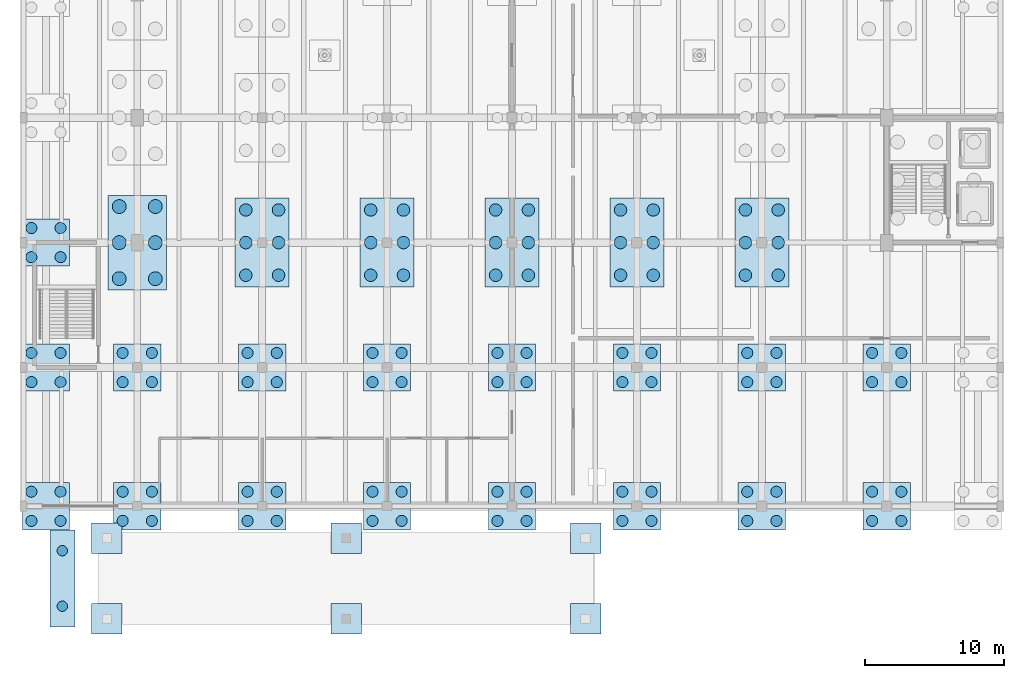
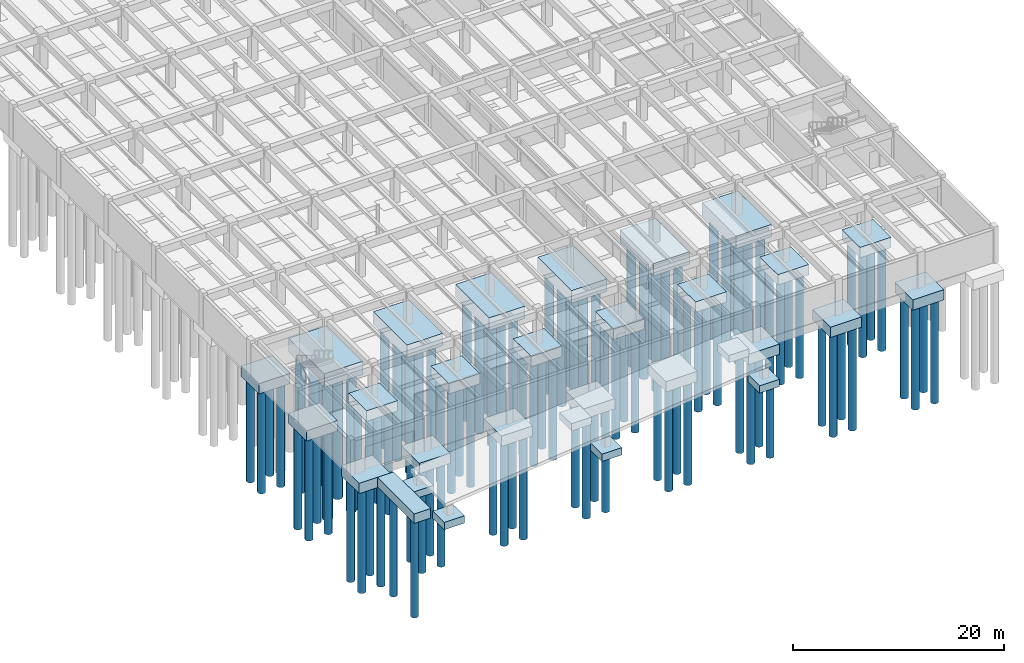
# One storey, part 1 of 23: 106 piles, 30 footings.
"""IFC4 building model written with IfcOpenShell, lengths in metres."""

from ifc_helpers import new_model, si_unit, direction, frame, origin, origin_2d, place, context, subcontext, project, spatial, polyline, circle, outline, extrude, material, layer, layer_set, material_profile, profile_set, type_object, element, save


model = new_model("IFC4")

# Units and contexts
model_context = context("Model", 3, precision=1e-05, world=origin(), true_north=direction((0.0, 1.0)))
body_context = subcontext(model_context, "Body", "Model", "MODEL_VIEW")
ifc_project = project(units=[si_unit("LENGTHUNIT", "METRE"), si_unit("AREAUNIT", "SQUARE_METRE"), si_unit("VOLUMEUNIT", "CUBIC_METRE"), si_unit("PLANEANGLEUNIT", "RADIAN"), si_unit("MASSUNIT", "GRAM", prefix="KILO")], contexts=[model_context])

# Site, building, storey
site_placement = place(None, origin())
site = spatial("IfcSite", under=ifc_project, at=site_placement, CompositionType="ELEMENT")
building_placement = place(site_placement, origin())
building = spatial("IfcBuilding", under=site, at=building_placement, Name="Ornek Quay Market", CompositionType="ELEMENT")
storey_placement = place(building_placement, frame((0.0, 0.0, -4.199951171875)))
storey = spatial("IfcBuildingStorey", under=building, at=storey_placement, Name="B1", CompositionType="ELEMENT", Elevation=-4.199951171875)

# Footings
ifc_material = material(Name="Concrete C35/45", Category="concrete")
ifc_layer_1 = layer(ifc_material, 0.85009765625, Name="Concrete C35/45", Category="concrete")
ifc_layer_set_1 = layer_set([ifc_layer_1], Name="Concrete C35/45")
footing_type_1 = type_object("IfcFootingType", Name="FT-PAD-2200x2200x850", PredefinedType="PAD_FOOTING", material=ifc_layer_set_1)
footing_1_placement = place(storey_placement, frame((0.0, 0.0, -2.580078125)))
element("IfcFooting", 1, at=footing_1_placement, inside=storey, type_object=footing_type_1, Name="Vehicle ramp footing PRF-11", PredefinedType="PAD_FOOTING", context=body_context, shape_type="SweptSolid", body=[
    extrude(outline(polyline([(59.699951171875, 0.800048828125), (61.89990234375, 0.800048828125), (61.89990234375, 3.0), (59.699951171875, 3.0), (59.699951171875, 0.800048828125)])), origin(), (0.0, 0.0, 1.0), 0.85009765625),
])
footing_2_placement = place(storey_placement, frame((0.0, 0.0, -2.580078125)))
element("IfcFooting", 2, at=footing_2_placement, inside=storey, type_object=footing_type_1, Name="Vehicle ramp footing PRF-12", PredefinedType="PAD_FOOTING", context=body_context, shape_type="SweptSolid", body=[
    extrude(outline(polyline([(59.699951171875, 6.60009765625), (61.89990234375, 6.60009765625), (61.89990234375, 8.800048828125), (59.699951171875, 8.800048828125), (59.699951171875, 6.60009765625)])), origin(), (0.0, 0.0, 1.0), 0.85009765625),
])
footing_3_placement = place(storey_placement, frame((0.0, 0.0, -0.719970703125)))
element("IfcFooting", 3, at=footing_3_placement, inside=storey, type_object=footing_type_1, Name="Vehicle ramp footing PRF-13", PredefinedType="PAD_FOOTING", context=body_context, shape_type="SweptSolid", body=[
    extrude(outline(polyline([(76.949951171875, 0.800048828125), (79.14990234375, 0.800048828125), (79.14990234375, 3.0), (76.949951171875, 3.0), (76.949951171875, 0.800048828125)])), origin(), (0.0, 0.0, 1.0), 0.849853515625),
])
footing_4_placement = place(storey_placement, frame((0.0, 0.0, -0.719970703125)))
element("IfcFooting", 4, at=footing_4_placement, inside=storey, type_object=footing_type_1, Name="Vehicle ramp footing PRF-14", PredefinedType="PAD_FOOTING", context=body_context, shape_type="SweptSolid", body=[
    extrude(outline(polyline([(76.949951171875, 6.60009765625), (79.14990234375, 6.60009765625), (79.14990234375, 8.800048828125), (76.949951171875, 8.800048828125), (76.949951171875, 6.60009765625)])), origin(), (0.0, 0.0, 1.0), 0.849853515625),
])
footing_5_placement = place(storey_placement, frame((0.0, 0.0, 1.139892578125)))
element("IfcFooting", 5, at=footing_5_placement, inside=storey, type_object=footing_type_1, Name="Vehicle ramp footing PRF-15", PredefinedType="PAD_FOOTING", context=body_context, shape_type="SweptSolid", body=[
    extrude(outline(polyline([(94.199951171875, 0.800048828125), (96.39990234375, 0.800048828125), (96.39990234375, 3.0), (94.199951171875, 3.0), (94.199951171875, 0.800048828125)])), origin(), (0.0, 0.0, 1.0), 0.85009765625),
])
footing_6_placement = place(storey_placement, frame((0.0, 0.0, 1.139892578125)))
element("IfcFooting", 6, at=footing_6_placement, inside=storey, type_object=footing_type_1, Name="Vehicle ramp footing PRF-16", PredefinedType="PAD_FOOTING", context=body_context, shape_type="SweptSolid", body=[
    extrude(outline(polyline([(94.199951171875, 6.60009765625), (96.39990234375, 6.60009765625), (96.39990234375, 8.800048828125), (94.199951171875, 8.800048828125), (94.199951171875, 6.60009765625)])), origin(), (0.0, 0.0, 1.0), 0.85009765625),
])
ifc_layer_2 = layer(ifc_material, 1.10009765625, Name="Concrete C35/45", Category="concrete")
ifc_layer_set_2 = layer_set([ifc_layer_2], Name="Concrete C35/45")
footing_type_2 = type_object("IfcFootingType", Name="FT-PC2-1800x7000x1100", PredefinedType="PILE_CAP", material=ifc_layer_set_2)
footing_7_placement = place(storey_placement, frame((0.0, 0.0, -1.10009765625)))
element("IfcFooting", 7, at=footing_7_placement, inside=storey, type_object=footing_type_2, Name="Ramp abutment cap PRF-06", PredefinedType="PILE_CAP", context=body_context, shape_type="SweptSolid", body=[
    extrude(outline(polyline([(56.699951171875, 1.300048828125), (58.5, 1.300048828125), (58.5, 8.300048828125), (56.699951171875, 8.300048828125), (56.699951171875, 1.300048828125)])), origin(), (0.0, 0.0, 1.0), 1.10009765625),
])
ifc_layer_3 = layer(ifc_material, 1.199951171875, Name="Concrete C35/45", Category="concrete")
ifc_layer_set_3 = layer_set([ifc_layer_3], Name="Concrete C35/45")
footing_type_3 = type_object("IfcFootingType", Name="FT-PC4-2800x2800x1200", PredefinedType="PILE_CAP", material=ifc_layer_set_3)
footing_8_placement = place(storey_placement, frame((0.0, 0.0, -1.199951171875)))
element("IfcFooting", 8, at=footing_8_placement, inside=storey, type_object=footing_type_3, Name="Pile cap FC-065", PredefinedType="PILE_CAP", context=body_context, shape_type="SweptSolid", body=[
    extrude(outline(polyline([(54.719970703125, 8.300048828125), (58.1201171875, 8.300048828125), (58.1201171875, 11.699951171875), (54.719970703125, 11.699951171875), (54.719970703125, 8.300048828125)])), origin(), (0.0, 0.0, 1.0), 1.199951171875),
])
footing_9_placement = place(storey_placement, frame((0.0, 0.0, -1.199951171875)))
element("IfcFooting", 9, at=footing_9_placement, inside=storey, type_object=footing_type_3, Name="Pile cap FC-066", PredefinedType="PILE_CAP", context=body_context, shape_type="SweptSolid", body=[
    extrude(outline(polyline([(54.719970703125, 18.300048828125), (58.1201171875, 18.300048828125), (58.1201171875, 21.699951171875), (54.719970703125, 21.699951171875), (54.719970703125, 18.300048828125)])), origin(), (0.0, 0.0, 1.0), 1.199951171875),
])
footing_10_placement = place(storey_placement, frame((0.0, 0.0, -1.199951171875)))
element("IfcFooting", 10, at=footing_10_placement, inside=storey, type_object=footing_type_3, Name="Pile cap FC-067", PredefinedType="PILE_CAP", context=body_context, shape_type="SweptSolid", body=[
    extrude(outline(polyline([(54.719970703125, 27.300048828125), (58.1201171875, 27.300048828125), (58.1201171875, 30.699951171875), (54.719970703125, 30.699951171875), (54.719970703125, 27.300048828125)])), origin(), (0.0, 0.0, 1.0), 1.199951171875),
])
footing_11_placement = place(storey_placement, frame((0.0, 0.0, -1.199951171875)))
element("IfcFooting", 11, at=footing_11_placement, inside=storey, type_object=footing_type_3, Name="Pile cap FC-076", PredefinedType="PILE_CAP", context=body_context, shape_type="SweptSolid", body=[
    extrude(outline(polyline([(61.300048828125, 8.300048828125), (64.699951171875, 8.300048828125), (64.699951171875, 11.699951171875), (61.300048828125, 11.699951171875), (61.300048828125, 8.300048828125)])), origin(), (0.0, 0.0, 1.0), 1.199951171875),
])
footing_12_placement = place(storey_placement, frame((0.0, 0.0, -1.199951171875)))
element("IfcFooting", 12, at=footing_12_placement, inside=storey, type_object=footing_type_3, Name="Pile cap FC-077", PredefinedType="PILE_CAP", context=body_context, shape_type="SweptSolid", body=[
    extrude(outline(polyline([(61.300048828125, 18.300048828125), (64.699951171875, 18.300048828125), (64.699951171875, 21.699951171875), (61.300048828125, 21.699951171875), (61.300048828125, 18.300048828125)])), origin(), (0.0, 0.0, 1.0), 1.199951171875),
])
footing_13_placement = place(storey_placement, frame((0.0, 0.0, -1.199951171875)))
element("IfcFooting", 13, at=footing_13_placement, inside=storey, type_object=footing_type_3, Name="Pile cap FC-087", PredefinedType="PILE_CAP", context=body_context, shape_type="SweptSolid", body=[
    extrude(outline(polyline([(70.300048828125, 8.300048828125), (73.699951171875, 8.300048828125), (73.699951171875, 11.699951171875), (70.300048828125, 11.699951171875), (70.300048828125, 8.300048828125)])), origin(), (0.0, 0.0, 1.0), 1.199951171875),
])
footing_14_placement = place(storey_placement, frame((0.0, 0.0, -1.199951171875)))
element("IfcFooting", 14, at=footing_14_placement, inside=storey, type_object=footing_type_3, Name="Pile cap FC-088", PredefinedType="PILE_CAP", context=body_context, shape_type="SweptSolid", body=[
    extrude(outline(polyline([(70.300048828125, 18.300048828125), (73.699951171875, 18.300048828125), (73.699951171875, 21.699951171875), (70.300048828125, 21.699951171875), (70.300048828125, 18.300048828125)])), origin(), (0.0, 0.0, 1.0), 1.199951171875),
])
footing_15_placement = place(storey_placement, frame((0.0, 0.0, -1.199951171875)))
element("IfcFooting", 15, at=footing_15_placement, inside=storey, type_object=footing_type_3, Name="Pile cap FC-100", PredefinedType="PILE_CAP", context=body_context, shape_type="SweptSolid", body=[
    extrude(outline(polyline([(79.300048828125, 8.300048828125), (82.699951171875, 8.300048828125), (82.699951171875, 11.699951171875), (79.300048828125, 11.699951171875), (79.300048828125, 8.300048828125)])), origin(), (0.0, 0.0, 1.0), 1.199951171875),
])
footing_16_placement = place(storey_placement, frame((0.0, 0.0, -1.199951171875)))
element("IfcFooting", 16, at=footing_16_placement, inside=storey, type_object=footing_type_3, Name="Pile cap FC-101", PredefinedType="PILE_CAP", context=body_context, shape_type="SweptSolid", body=[
    extrude(outline(polyline([(79.300048828125, 18.300048828125), (82.699951171875, 18.300048828125), (82.699951171875, 21.699951171875), (79.300048828125, 21.699951171875), (79.300048828125, 18.300048828125)])), origin(), (0.0, 0.0, 1.0), 1.199951171875),
])
footing_17_placement = place(storey_placement, frame((0.0, 0.0, -1.199951171875)))
element("IfcFooting", 17, at=footing_17_placement, inside=storey, type_object=footing_type_3, Name="Pile cap FC-113", PredefinedType="PILE_CAP", context=body_context, shape_type="SweptSolid", body=[
    extrude(outline(polyline([(88.300048828125, 8.300048828125), (91.699951171875, 8.300048828125), (91.699951171875, 11.699951171875), (88.300048828125, 11.699951171875), (88.300048828125, 8.300048828125)])), origin(), (0.0, 0.0, 1.0), 1.199951171875),
])
footing_18_placement = place(storey_placement, frame((0.0, 0.0, -1.199951171875)))
element("IfcFooting", 18, at=footing_18_placement, inside=storey, type_object=footing_type_3, Name="Pile cap FC-114", PredefinedType="PILE_CAP", context=body_context, shape_type="SweptSolid", body=[
    extrude(outline(polyline([(88.300048828125, 18.300048828125), (91.699951171875, 18.300048828125), (91.699951171875, 21.699951171875), (88.300048828125, 21.699951171875), (88.300048828125, 18.300048828125)])), origin(), (0.0, 0.0, 1.0), 1.199951171875),
])
footing_19_placement = place(storey_placement, frame((0.0, 0.0, -1.199951171875)))
element("IfcFooting", 19, at=footing_19_placement, inside=storey, type_object=footing_type_3, Name="Pile cap FC-126", PredefinedType="PILE_CAP", context=body_context, shape_type="SweptSolid", body=[
    extrude(outline(polyline([(97.300048828125, 8.300048828125), (100.699951171875, 8.300048828125), (100.699951171875, 11.699951171875), (97.300048828125, 11.699951171875), (97.300048828125, 8.300048828125)])), origin(), (0.0, 0.0, 1.0), 1.199951171875),
])
footing_20_placement = place(storey_placement, frame((0.0, 0.0, -1.199951171875)))
element("IfcFooting", 20, at=footing_20_placement, inside=storey, type_object=footing_type_3, Name="Pile cap FC-127", PredefinedType="PILE_CAP", context=body_context, shape_type="SweptSolid", body=[
    extrude(outline(polyline([(97.300048828125, 18.300048828125), (100.699951171875, 18.300048828125), (100.699951171875, 21.699951171875), (97.300048828125, 21.699951171875), (97.300048828125, 18.300048828125)])), origin(), (0.0, 0.0, 1.0), 1.199951171875),
])
footing_21_placement = place(storey_placement, frame((0.0, 0.0, -1.199951171875)))
element("IfcFooting", 21, at=footing_21_placement, inside=storey, type_object=footing_type_3, Name="Pile cap FC-139", PredefinedType="PILE_CAP", context=body_context, shape_type="SweptSolid", body=[
    extrude(outline(polyline([(106.300048828125, 8.300048828125), (109.699951171875, 8.300048828125), (109.699951171875, 11.699951171875), (106.300048828125, 11.699951171875), (106.300048828125, 8.300048828125)])), origin(), (0.0, 0.0, 1.0), 1.199951171875),
])
footing_22_placement = place(storey_placement, frame((0.0, 0.0, -1.199951171875)))
element("IfcFooting", 22, at=footing_22_placement, inside=storey, type_object=footing_type_3, Name="Pile cap FC-140", PredefinedType="PILE_CAP", context=body_context, shape_type="SweptSolid", body=[
    extrude(outline(polyline([(106.300048828125, 18.300048828125), (109.699951171875, 18.300048828125), (109.699951171875, 21.699951171875), (106.300048828125, 21.699951171875), (106.300048828125, 18.300048828125)])), origin(), (0.0, 0.0, 1.0), 1.199951171875),
])
footing_23_placement = place(storey_placement, frame((0.0, 0.0, -1.199951171875)))
element("IfcFooting", 23, at=footing_23_placement, inside=storey, type_object=footing_type_3, Name="Pile cap FC-152", PredefinedType="PILE_CAP", context=body_context, shape_type="SweptSolid", body=[
    extrude(outline(polyline([(115.300048828125, 8.300048828125), (118.699951171875, 8.300048828125), (118.699951171875, 11.699951171875), (115.300048828125, 11.699951171875), (115.300048828125, 8.300048828125)])), origin(), (0.0, 0.0, 1.0), 1.199951171875),
])
footing_24_placement = place(storey_placement, frame((0.0, 0.0, -1.199951171875)))
element("IfcFooting", 24, at=footing_24_placement, inside=storey, type_object=footing_type_3, Name="Pile cap FC-153", PredefinedType="PILE_CAP", context=body_context, shape_type="SweptSolid", body=[
    extrude(outline(polyline([(115.300048828125, 18.300048828125), (118.699951171875, 18.300048828125), (118.699951171875, 21.699951171875), (115.300048828125, 21.699951171875), (115.300048828125, 18.300048828125)])), origin(), (0.0, 0.0, 1.0), 1.199951171875),
])
ifc_layer_4 = layer(ifc_material, 1.449951171875, Name="Concrete C35/45", Category="concrete")
ifc_layer_set_4 = layer_set([ifc_layer_4], Name="Concrete C35/45")
footing_type_4 = type_object("IfcFootingType", Name="FT-PC6-3200x4600x1450", PredefinedType="PILE_CAP", material=ifc_layer_set_4)
footing_25_placement = place(storey_placement, frame((0.0, 0.0, -1.449951171875)))
element("IfcFooting", 25, at=footing_25_placement, inside=storey, type_object=footing_type_4, Name="Pile cap FC-089", PredefinedType="PILE_CAP", context=body_context, shape_type="SweptSolid", body=[
    extrude(outline(polyline([(70.050048828125, 25.800048828125), (73.949951171875, 25.800048828125), (73.949951171875, 32.199951171875), (70.050048828125, 32.199951171875), (70.050048828125, 25.800048828125)])), origin(), (0.0, 0.0, 1.0), 1.449951171875),
])
footing_26_placement = place(storey_placement, frame((0.0, 0.0, -1.449951171875)))
element("IfcFooting", 26, at=footing_26_placement, inside=storey, type_object=footing_type_4, Name="Pile cap FC-102", PredefinedType="PILE_CAP", context=body_context, shape_type="SweptSolid", body=[
    extrude(outline(polyline([(79.050048828125, 25.800048828125), (82.949951171875, 25.800048828125), (82.949951171875, 32.199951171875), (79.050048828125, 32.199951171875), (79.050048828125, 25.800048828125)])), origin(), (0.0, 0.0, 1.0), 1.449951171875),
])
footing_27_placement = place(storey_placement, frame((0.0, 0.0, -1.449951171875)))
element("IfcFooting", 27, at=footing_27_placement, inside=storey, type_object=footing_type_4, Name="Pile cap FC-115", PredefinedType="PILE_CAP", context=body_context, shape_type="SweptSolid", body=[
    extrude(outline(polyline([(88.050048828125, 25.800048828125), (91.949951171875, 25.800048828125), (91.949951171875, 32.199951171875), (88.050048828125, 32.199951171875), (88.050048828125, 25.800048828125)])), origin(), (0.0, 0.0, 1.0), 1.449951171875),
])
footing_28_placement = place(storey_placement, frame((0.0, 0.0, -1.449951171875)))
element("IfcFooting", 28, at=footing_28_placement, inside=storey, type_object=footing_type_4, Name="Pile cap FC-128", PredefinedType="PILE_CAP", context=body_context, shape_type="SweptSolid", body=[
    extrude(outline(polyline([(97.050048828125, 25.800048828125), (100.949951171875, 25.800048828125), (100.949951171875, 32.199951171875), (97.050048828125, 32.199951171875), (97.050048828125, 25.800048828125)])), origin(), (0.0, 0.0, 1.0), 1.449951171875),
])
footing_29_placement = place(storey_placement, frame((0.0, 0.0, -1.449951171875)))
element("IfcFooting", 29, at=footing_29_placement, inside=storey, type_object=footing_type_4, Name="Pile cap FC-141", PredefinedType="PILE_CAP", context=body_context, shape_type="SweptSolid", body=[
    extrude(outline(polyline([(106.050048828125, 25.800048828125), (109.949951171875, 25.800048828125), (109.949951171875, 32.199951171875), (106.050048828125, 32.199951171875), (106.050048828125, 25.800048828125)])), origin(), (0.0, 0.0, 1.0), 1.449951171875),
])
ifc_layer_5 = layer(ifc_material, 1.550048828125, Name="Concrete C35/45", Category="concrete")
ifc_layer_set_5 = layer_set([ifc_layer_5], Name="Concrete C35/45")
footing_type_5 = type_object("IfcFootingType", Name="FT-PC6-3600x5200x1550", PredefinedType="PILE_CAP", material=ifc_layer_set_5)
footing_30_placement = place(storey_placement, frame((0.0, 0.0, -1.550048828125)))
element("IfcFooting", 30, at=footing_30_placement, inside=storey, type_object=footing_type_5, Name="Pile cap FC-078", PredefinedType="PILE_CAP", context=body_context, shape_type="SweptSolid", body=[
    extrude(outline(polyline([(60.89990234375, 25.60009765625), (65.10009765625, 25.60009765625), (65.10009765625, 32.39990234375), (60.89990234375, 32.39990234375), (60.89990234375, 25.60009765625)])), origin(), (0.0, 0.0, 1.0), 1.550048828125),
])

# Piles
ifc_material_profile_1 = material_profile(ifc_material, circle(Radius=0.5, at=origin_2d()), Name="PILE D1000", Category="concrete")
ifc_profile_set_1 = profile_set([ifc_material_profile_1], Name="Concrete C35/45")
pile_type_1 = type_object("IfcPileType", Name="PL-BOR-D1000-L16", PredefinedType="BORED", material=ifc_profile_set_1)
for number, where, z_axis, x_axis, name in (
    (31, (61.699951171875, 26.39990234375, -1.449951171875), (0.0, 0.0, -1.0), (1.0, 0.0, 0.0), "Bored pile P-0339"),
    (32, (64.300048828125, 26.39990234375, -1.449951171875), (0.0, 0.0, -1.0), (1.0, 0.0, 0.0), "Bored pile P-0340"),
    (33, (61.699951171875, 29.0, -1.449951171875), (0.0, 0.0, -1.0), (1.0, 0.0, 0.0), "Bored pile P-0341"),
    (34, (64.300048828125, 29.0, -1.449951171875), (0.0, 0.0, -1.0), (1.0, 0.0, 0.0), "Bored pile P-0342"),
    (35, (61.699951171875, 31.60009765625, -1.449951171875), (0.0, 0.0, -1.0), (1.0, 0.0, 0.0), "Bored pile P-0343"),
    (36, (64.300048828125, 31.60009765625, -1.449951171875), (0.0, 0.0, -1.0), (1.0, 0.0, 0.0), "Bored pile P-0344"),
):
    element("IfcPile", number, at=place(storey_placement, frame(where, z_axis=z_axis, x_axis=x_axis)), inside=storey, type_object=pile_type_1, Name=name, PredefinedType="BORED", context=body_context, shape_type="SweptSolid", body=[
        extrude(circle(Radius=0.5, at=origin_2d()), origin(), (0.0, 0.0, 1.0), 16.0),
    ])
ifc_material_profile_2 = material_profile(ifc_material, circle(Radius=0.39990234375, at=origin_2d()), Name="PILE D800", Category="concrete")
ifc_profile_set_2 = profile_set([ifc_material_profile_2], Name="Concrete C35/45")
pile_type_2 = type_object("IfcPileType", Name="PL-BOR-D800-L12", PredefinedType="BORED", material=ifc_profile_set_2)
for number, where, z_axis, x_axis, name in (
    (37, (55.3701171875, 8.949951171875, -1.10009765625), (0.0, 0.0, -1.0), (1.0, 0.0, 0.0), "Bored pile P-0287"),
    (38, (57.469970703125, 8.949951171875, -1.10009765625), (0.0, 0.0, -1.0), (1.0, 0.0, 0.0), "Bored pile P-0288"),
    (39, (55.3701171875, 11.050048828125, -1.10009765625), (0.0, 0.0, -1.0), (1.0, 0.0, 0.0), "Bored pile P-0289"),
    (40, (57.469970703125, 11.050048828125, -1.10009765625), (0.0, 0.0, -1.0), (1.0, 0.0, 0.0), "Bored pile P-0290"),
    (41, (55.3701171875, 18.949951171875, -1.10009765625), (0.0, 0.0, -1.0), (1.0, 0.0, 0.0), "Bored pile P-0291"),
    (42, (57.469970703125, 18.949951171875, -1.10009765625), (0.0, 0.0, -1.0), (1.0, 0.0, 0.0), "Bored pile P-0292"),
    (43, (55.3701171875, 21.050048828125, -1.10009765625), (0.0, 0.0, -1.0), (1.0, 0.0, 0.0), "Bored pile P-0293"),
    (44, (57.469970703125, 21.050048828125, -1.10009765625), (0.0, 0.0, -1.0), (1.0, 0.0, 0.0), "Bored pile P-0294"),
    (45, (55.3701171875, 27.949951171875, -1.10009765625), (0.0, 0.0, -1.0), (1.0, 0.0, 0.0), "Bored pile P-0295"),
    (46, (57.469970703125, 27.949951171875, -1.10009765625), (0.0, 0.0, -1.0), (1.0, 0.0, 0.0), "Bored pile P-0296"),
    (47, (55.3701171875, 30.050048828125, -1.10009765625), (0.0, 0.0, -1.0), (1.0, 0.0, 0.0), "Bored pile P-0297"),
    (48, (57.469970703125, 30.050048828125, -1.10009765625), (0.0, 0.0, -1.0), (1.0, 0.0, 0.0), "Bored pile P-0298"),
    (49, (61.949951171875, 8.949951171875, -1.10009765625), (0.0, 0.0, -1.0), (1.0, 0.0, 0.0), "Bored pile P-0331"),
    (50, (64.050048828125, 8.949951171875, -1.10009765625), (0.0, 0.0, -1.0), (1.0, 0.0, 0.0), "Bored pile P-0332"),
    (51, (61.949951171875, 11.050048828125, -1.10009765625), (0.0, 0.0, -1.0), (1.0, 0.0, 0.0), "Bored pile P-0333"),
    (52, (64.050048828125, 11.050048828125, -1.10009765625), (0.0, 0.0, -1.0), (1.0, 0.0, 0.0), "Bored pile P-0334"),
    (53, (61.949951171875, 18.949951171875, -1.10009765625), (0.0, 0.0, -1.0), (1.0, 0.0, 0.0), "Bored pile P-0335"),
    (54, (64.050048828125, 18.949951171875, -1.10009765625), (0.0, 0.0, -1.0), (1.0, 0.0, 0.0), "Bored pile P-0336"),
    (55, (61.949951171875, 21.050048828125, -1.10009765625), (0.0, 0.0, -1.0), (1.0, 0.0, 0.0), "Bored pile P-0337"),
    (56, (64.050048828125, 21.050048828125, -1.10009765625), (0.0, 0.0, -1.0), (1.0, 0.0, 0.0), "Bored pile P-0338"),
    (57, (70.949951171875, 8.949951171875, -1.10009765625), (0.0, 0.0, -1.0), (1.0, 0.0, 0.0), "Bored pile P-0389"),
    (58, (73.050048828125, 8.949951171875, -1.10009765625), (0.0, 0.0, -1.0), (1.0, 0.0, 0.0), "Bored pile P-0390"),
    (59, (70.949951171875, 11.050048828125, -1.10009765625), (0.0, 0.0, -1.0), (1.0, 0.0, 0.0), "Bored pile P-0391"),
    (60, (73.050048828125, 11.050048828125, -1.10009765625), (0.0, 0.0, -1.0), (1.0, 0.0, 0.0), "Bored pile P-0392"),
    (61, (70.949951171875, 18.949951171875, -1.10009765625), (0.0, 0.0, -1.0), (1.0, 0.0, 0.0), "Bored pile P-0393"),
    (62, (73.050048828125, 18.949951171875, -1.10009765625), (0.0, 0.0, -1.0), (1.0, 0.0, 0.0), "Bored pile P-0394"),
    (63, (70.949951171875, 21.050048828125, -1.10009765625), (0.0, 0.0, -1.0), (1.0, 0.0, 0.0), "Bored pile P-0395"),
    (64, (73.050048828125, 21.050048828125, -1.10009765625), (0.0, 0.0, -1.0), (1.0, 0.0, 0.0), "Bored pile P-0396"),
    (65, (79.949951171875, 8.949951171875, -1.10009765625), (0.0, 0.0, -1.0), (1.0, 0.0, 0.0), "Bored pile P-0457"),
    (66, (82.050048828125, 8.949951171875, -1.10009765625), (0.0, 0.0, -1.0), (1.0, 0.0, 0.0), "Bored pile P-0458"),
    (67, (79.949951171875, 11.050048828125, -1.10009765625), (0.0, 0.0, -1.0), (1.0, 0.0, 0.0), "Bored pile P-0459"),
    (68, (82.050048828125, 11.050048828125, -1.10009765625), (0.0, 0.0, -1.0), (1.0, 0.0, 0.0), "Bored pile P-0460"),
    (69, (79.949951171875, 18.949951171875, -1.10009765625), (0.0, 0.0, -1.0), (1.0, 0.0, 0.0), "Bored pile P-0461"),
    (70, (82.050048828125, 18.949951171875, -1.10009765625), (0.0, 0.0, -1.0), (1.0, 0.0, 0.0), "Bored pile P-0462"),
    (71, (79.949951171875, 21.050048828125, -1.10009765625), (0.0, 0.0, -1.0), (1.0, 0.0, 0.0), "Bored pile P-0463"),
    (72, (82.050048828125, 21.050048828125, -1.10009765625), (0.0, 0.0, -1.0), (1.0, 0.0, 0.0), "Bored pile P-0464"),
    (73, (88.949951171875, 8.949951171875, -1.10009765625), (0.0, 0.0, -1.0), (1.0, 0.0, 0.0), "Bored pile P-0503"),
    (74, (91.050048828125, 8.949951171875, -1.10009765625), (0.0, 0.0, -1.0), (1.0, 0.0, 0.0), "Bored pile P-0504"),
    (75, (88.949951171875, 11.050048828125, -1.10009765625), (0.0, 0.0, -1.0), (1.0, 0.0, 0.0), "Bored pile P-0505"),
    (76, (91.050048828125, 11.050048828125, -1.10009765625), (0.0, 0.0, -1.0), (1.0, 0.0, 0.0), "Bored pile P-0506"),
    (77, (88.949951171875, 18.949951171875, -1.10009765625), (0.0, 0.0, -1.0), (1.0, 0.0, 0.0), "Bored pile P-0507"),
    (78, (91.050048828125, 18.949951171875, -1.10009765625), (0.0, 0.0, -1.0), (1.0, 0.0, 0.0), "Bored pile P-0508"),
    (79, (88.949951171875, 21.050048828125, -1.10009765625), (0.0, 0.0, -1.0), (1.0, 0.0, 0.0), "Bored pile P-0509"),
    (80, (91.050048828125, 21.050048828125, -1.10009765625), (0.0, 0.0, -1.0), (1.0, 0.0, 0.0), "Bored pile P-0510"),
    (81, (97.949951171875, 8.949951171875, -1.10009765625), (0.0, 0.0, -1.0), (1.0, 0.0, 0.0), "Bored pile P-0549"),
    (82, (100.050048828125, 8.949951171875, -1.10009765625), (0.0, 0.0, -1.0), (1.0, 0.0, 0.0), "Bored pile P-0550"),
    (83, (97.949951171875, 11.050048828125, -1.10009765625), (0.0, 0.0, -1.0), (1.0, 0.0, 0.0), "Bored pile P-0551"),
    (84, (100.050048828125, 11.050048828125, -1.10009765625), (0.0, 0.0, -1.0), (1.0, 0.0, 0.0), "Bored pile P-0552"),
    (85, (97.949951171875, 18.949951171875, -1.10009765625), (0.0, 0.0, -1.0), (1.0, 0.0, 0.0), "Bored pile P-0553"),
    (86, (100.050048828125, 18.949951171875, -1.10009765625), (0.0, 0.0, -1.0), (1.0, 0.0, 0.0), "Bored pile P-0554"),
    (87, (97.949951171875, 21.050048828125, -1.10009765625), (0.0, 0.0, -1.0), (1.0, 0.0, 0.0), "Bored pile P-0555"),
    (88, (100.050048828125, 21.050048828125, -1.10009765625), (0.0, 0.0, -1.0), (1.0, 0.0, 0.0), "Bored pile P-0556"),
    (89, (106.949951171875, 8.949951171875, -1.10009765625), (0.0, 0.0, -1.0), (1.0, 0.0, 0.0), "Bored pile P-0595"),
    (90, (109.050048828125, 8.949951171875, -1.10009765625), (0.0, 0.0, -1.0), (1.0, 0.0, 0.0), "Bored pile P-0596"),
    (91, (106.949951171875, 11.050048828125, -1.10009765625), (0.0, 0.0, -1.0), (1.0, 0.0, 0.0), "Bored pile P-0597"),
    (92, (109.050048828125, 11.050048828125, -1.10009765625), (0.0, 0.0, -1.0), (1.0, 0.0, 0.0), "Bored pile P-0598"),
    (93, (106.949951171875, 18.949951171875, -1.10009765625), (0.0, 0.0, -1.0), (1.0, 0.0, 0.0), "Bored pile P-0599"),
    (94, (109.050048828125, 18.949951171875, -1.10009765625), (0.0, 0.0, -1.0), (1.0, 0.0, 0.0), "Bored pile P-0600"),
    (95, (106.949951171875, 21.050048828125, -1.10009765625), (0.0, 0.0, -1.0), (1.0, 0.0, 0.0), "Bored pile P-0601"),
    (96, (109.050048828125, 21.050048828125, -1.10009765625), (0.0, 0.0, -1.0), (1.0, 0.0, 0.0), "Bored pile P-0602"),
    (97, (115.949951171875, 8.949951171875, -1.10009765625), (0.0, 0.0, -1.0), (1.0, 0.0, 0.0), "Bored pile P-0663"),
    (98, (118.050048828125, 8.949951171875, -1.10009765625), (0.0, 0.0, -1.0), (1.0, 0.0, 0.0), "Bored pile P-0664"),
    (99, (115.949951171875, 11.050048828125, -1.10009765625), (0.0, 0.0, -1.0), (1.0, 0.0, 0.0), "Bored pile P-0665"),
    (100, (118.050048828125, 11.050048828125, -1.10009765625), (0.0, 0.0, -1.0), (1.0, 0.0, 0.0), "Bored pile P-0666"),
    (101, (115.949951171875, 18.949951171875, -1.10009765625), (0.0, 0.0, -1.0), (1.0, 0.0, 0.0), "Bored pile P-0667"),
    (102, (118.050048828125, 18.949951171875, -1.10009765625), (0.0, 0.0, -1.0), (1.0, 0.0, 0.0), "Bored pile P-0668"),
    (103, (115.949951171875, 21.050048828125, -1.10009765625), (0.0, 0.0, -1.0), (1.0, 0.0, 0.0), "Bored pile P-0669"),
    (104, (118.050048828125, 21.050048828125, -1.10009765625), (0.0, 0.0, -1.0), (1.0, 0.0, 0.0), "Bored pile P-0670"),
):
    element("IfcPile", number, at=place(storey_placement, frame(where, z_axis=z_axis, x_axis=x_axis)), inside=storey, type_object=pile_type_2, Name=name, PredefinedType="BORED", context=body_context, shape_type="SweptSolid", body=[
        extrude(circle(Radius=0.39990234375, at=origin_2d()), origin(), (0.0, 0.0, 1.0), 12.0),
    ])
ifc_material_profile_3 = material_profile(ifc_material, circle(Radius=0.449951171875, at=origin_2d()), Name="PILE D900", Category="concrete")
ifc_profile_set_3 = profile_set([ifc_material_profile_3], Name="Concrete C35/45")
pile_type_3 = type_object("IfcPileType", Name="PL-BOR-D900-L14", PredefinedType="BORED", material=ifc_profile_set_3)
for number, where, z_axis, x_axis, name in (
    (105, (70.820068359375, 26.64990234375, -1.35009765625), (0.0, 0.0, -1.0), (1.0, 0.0, 0.0), "Bored pile P-0397"),
    (106, (73.179931640625, 26.64990234375, -1.35009765625), (0.0, 0.0, -1.0), (1.0, 0.0, 0.0), "Bored pile P-0398"),
    (107, (70.820068359375, 29.0, -1.35009765625), (0.0, 0.0, -1.0), (1.0, 0.0, 0.0), "Bored pile P-0399"),
    (108, (73.179931640625, 29.0, -1.35009765625), (0.0, 0.0, -1.0), (1.0, 0.0, 0.0), "Bored pile P-0400"),
    (109, (70.820068359375, 31.35009765625, -1.35009765625), (0.0, 0.0, -1.0), (1.0, 0.0, 0.0), "Bored pile P-0401"),
    (110, (73.179931640625, 31.35009765625, -1.35009765625), (0.0, 0.0, -1.0), (1.0, 0.0, 0.0), "Bored pile P-0402"),
    (111, (79.820068359375, 26.64990234375, -1.35009765625), (0.0, 0.0, -1.0), (1.0, 0.0, 0.0), "Bored pile P-0465"),
    (112, (82.179931640625, 26.64990234375, -1.35009765625), (0.0, 0.0, -1.0), (1.0, 0.0, 0.0), "Bored pile P-0466"),
    (113, (79.820068359375, 29.0, -1.35009765625), (0.0, 0.0, -1.0), (1.0, 0.0, 0.0), "Bored pile P-0467"),
    (114, (82.179931640625, 29.0, -1.35009765625), (0.0, 0.0, -1.0), (1.0, 0.0, 0.0), "Bored pile P-0468"),
    (115, (79.820068359375, 31.35009765625, -1.35009765625), (0.0, 0.0, -1.0), (1.0, 0.0, 0.0), "Bored pile P-0469"),
    (116, (82.179931640625, 31.35009765625, -1.35009765625), (0.0, 0.0, -1.0), (1.0, 0.0, 0.0), "Bored pile P-0470"),
    (117, (88.820068359375, 26.64990234375, -1.35009765625), (0.0, 0.0, -1.0), (1.0, 0.0, 0.0), "Bored pile P-0511"),
    (118, (91.179931640625, 26.64990234375, -1.35009765625), (0.0, 0.0, -1.0), (1.0, 0.0, 0.0), "Bored pile P-0512"),
    (119, (88.820068359375, 29.0, -1.35009765625), (0.0, 0.0, -1.0), (1.0, 0.0, 0.0), "Bored pile P-0513"),
    (120, (91.179931640625, 29.0, -1.35009765625), (0.0, 0.0, -1.0), (1.0, 0.0, 0.0), "Bored pile P-0514"),
    (121, (88.820068359375, 31.35009765625, -1.35009765625), (0.0, 0.0, -1.0), (1.0, 0.0, 0.0), "Bored pile P-0515"),
    (122, (91.179931640625, 31.35009765625, -1.35009765625), (0.0, 0.0, -1.0), (1.0, 0.0, 0.0), "Bored pile P-0516"),
    (123, (97.820068359375, 26.64990234375, -1.35009765625), (0.0, 0.0, -1.0), (1.0, 0.0, 0.0), "Bored pile P-0557"),
    (124, (100.179931640625, 26.64990234375, -1.35009765625), (0.0, 0.0, -1.0), (1.0, 0.0, 0.0), "Bored pile P-0558"),
    (125, (97.820068359375, 29.0, -1.35009765625), (0.0, 0.0, -1.0), (1.0, 0.0, 0.0), "Bored pile P-0559"),
    (126, (100.179931640625, 29.0, -1.35009765625), (0.0, 0.0, -1.0), (1.0, 0.0, 0.0), "Bored pile P-0560"),
    (127, (97.820068359375, 31.35009765625, -1.35009765625), (0.0, 0.0, -1.0), (1.0, 0.0, 0.0), "Bored pile P-0561"),
    (128, (100.179931640625, 31.35009765625, -1.35009765625), (0.0, 0.0, -1.0), (1.0, 0.0, 0.0), "Bored pile P-0562"),
    (129, (106.820068359375, 26.64990234375, -1.35009765625), (0.0, 0.0, -1.0), (1.0, 0.0, 0.0), "Bored pile P-0603"),
    (130, (109.179931640625, 26.64990234375, -1.35009765625), (0.0, 0.0, -1.0), (1.0, 0.0, 0.0), "Bored pile P-0604"),
    (131, (106.820068359375, 29.0, -1.35009765625), (0.0, 0.0, -1.0), (1.0, 0.0, 0.0), "Bored pile P-0605"),
    (132, (109.179931640625, 29.0, -1.35009765625), (0.0, 0.0, -1.0), (1.0, 0.0, 0.0), "Bored pile P-0606"),
    (133, (106.820068359375, 31.35009765625, -1.35009765625), (0.0, 0.0, -1.0), (1.0, 0.0, 0.0), "Bored pile P-0607"),
    (134, (109.179931640625, 31.35009765625, -1.35009765625), (0.0, 0.0, -1.0), (1.0, 0.0, 0.0), "Bored pile P-0608"),
):
    element("IfcPile", number, at=place(storey_placement, frame(where, z_axis=z_axis, x_axis=x_axis)), inside=storey, type_object=pile_type_3, Name=name, PredefinedType="BORED", context=body_context, shape_type="SweptSolid", body=[
        extrude(circle(Radius=0.449951171875, at=origin_2d()), origin(), (0.0, 0.0, 1.0), 14.0),
    ])
ifc_material_profile_4 = material_profile(ifc_material, circle(Radius=0.375, at=origin_2d()), Name="PILE D750", Category="concrete")
ifc_profile_set_4 = profile_set([ifc_material_profile_4], Name="Concrete C35/45")
pile_type_4 = type_object("IfcPileType", Name="PL-SUP-D750-L12", PredefinedType="SUPPORT", material=ifc_profile_set_4)
for number, where, z_axis, x_axis, name in (
    (135, (57.60009765625, 2.800048828125, -1.0), (0.0, 0.0, -1.0), (1.0, 0.0, 0.0), "Bored pile P-1197"),
    (136, (57.60009765625, 6.800048828125, -1.0), (0.0, 0.0, -1.0), (1.0, 0.0, 0.0), "Bored pile P-1198"),
):
    element("IfcPile", number, at=place(storey_placement, frame(where, z_axis=z_axis, x_axis=x_axis)), inside=storey, type_object=pile_type_4, Name=name, PredefinedType="SUPPORT", context=body_context, shape_type="SweptSolid", body=[
        extrude(circle(Radius=0.375, at=origin_2d()), origin(), (0.0, 0.0, 1.0), 12.0),
    ])

save(model, "model.ifc")
